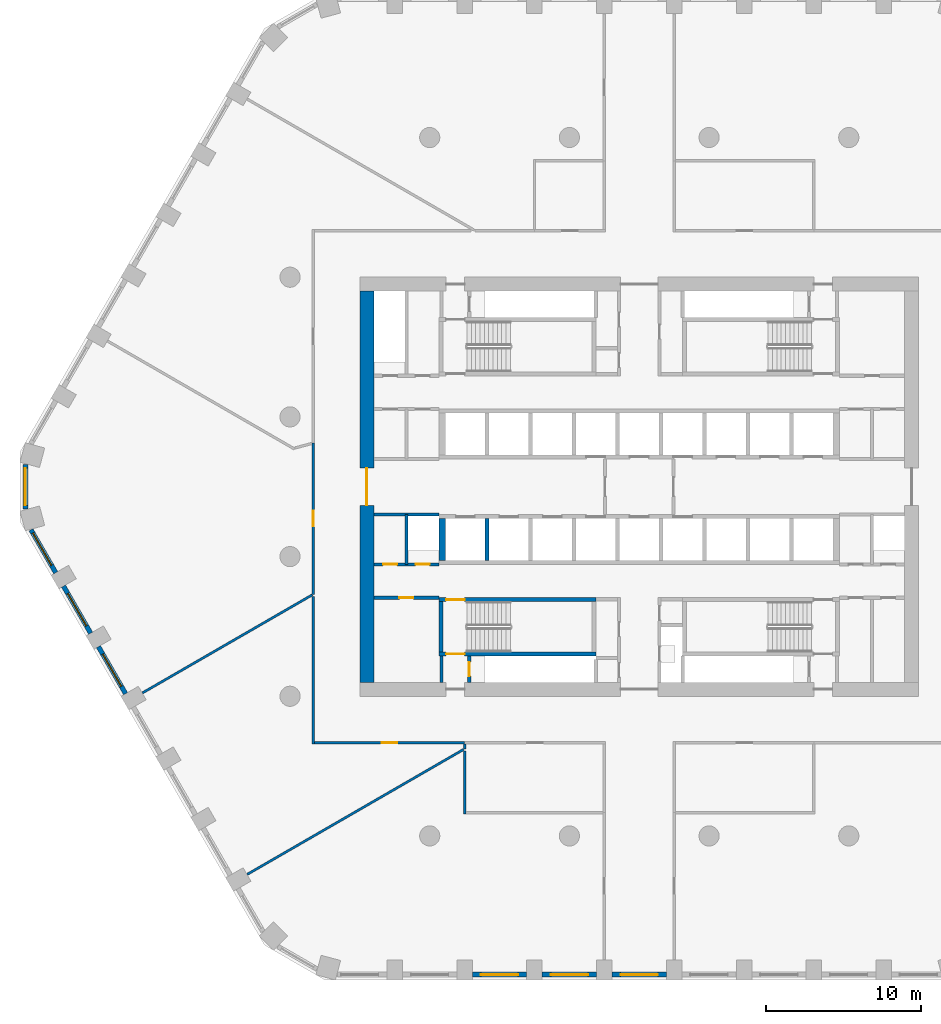
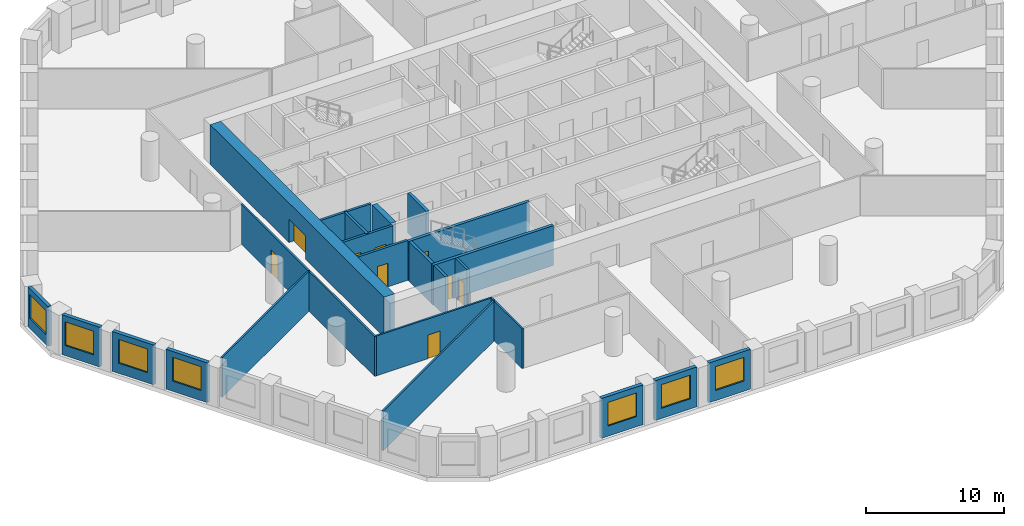
# One storey, part 2 of 10: 26 walls, 9 doors, 7 windows, 16 openings.
"""IFC4 building model written with IfcOpenShell, lengths in metres."""

from ifc_helpers import new_model, si_unit, direction, frame, frame_2d, origin, place, context, subcontext, project, spatial, polyline, rectangle, outline, extrude, material, layer, layer_set, type_object, element, fill, save


model = new_model("IFC4")

# Units and contexts
model_context = context("Model", 3, precision=1e-05, world=origin(), true_north=direction((0.0, 1.0)))
body_context = subcontext(model_context, "Body", "Model", "MODEL_VIEW")
ifc_project = project(units=[si_unit("LENGTHUNIT", "METRE"), si_unit("AREAUNIT", "SQUARE_METRE"), si_unit("VOLUMEUNIT", "CUBIC_METRE"), si_unit("PLANEANGLEUNIT", "RADIAN"), si_unit("MASSUNIT", "GRAM", prefix="KILO")], contexts=[model_context])

# Site, building, storey
site_placement = place(None, origin())
site = spatial("IfcSite", under=ifc_project, at=site_placement, CompositionType="ELEMENT")
building_placement = place(site_placement, origin())
building = spatial("IfcBuilding", under=site, at=building_placement, Name="Dhurran Vertical Campus", CompositionType="ELEMENT")
storey_placement = place(building_placement, frame((0.0, 0.0, 85.199951171875)))
storey = spatial("IfcBuildingStorey", under=building, at=storey_placement, Name="L20", CompositionType="ELEMENT", Elevation=85.199951171875)

# Wall, opening, window
ifc_material_1 = material(Name="Precast concrete C50/60", Category="concrete")
ifc_layer_1 = layer(ifc_material_1, 0.300048828125)
ifc_layer_set_1 = layer_set([ifc_layer_1], Name="Precast concrete C50/60")
wall_type_1 = type_object("IfcWallType", Name="Precast spandrel wall 300", PredefinedType="SOLIDWALL", material=ifc_layer_set_1)
wall_1_placement = place(storey_placement, frame((-10.74951171875, -31.4296875, 0.0), z_axis=(0.0, 0.0, 1.0), x_axis=(1.0, 0.0, 0.0)))
wall_1 = element("IfcWall", 1, at=wall_1_placement, inside=storey, type_object=wall_type_1, Name="EW1 L20.02", PredefinedType="SOLIDWALL", context=body_context, shape_type="SweptSolid", body=[
    extrude(rectangle(XDim=3.4990234375, YDim=0.300048828125, at=frame_2d((1.74951171875, 0.0))), origin(), (0.0, 0.0, 1.0), 3.525146484375),
])
opening_1_placement = place(wall_1_placement, frame((0.549560546875, 0.0, 0.89990234375)))
opening_1 = element("IfcOpeningElement", 2, at=opening_1_placement, cuts=wall_1, Name="Opening WT1", PredefinedType="OPENING", context=body_context, shape_type="SweptSolid", body=[
    extrude(rectangle(XDim=2.39990234375, YDim=2.10009765625, at=frame_2d((1.199951171875, 1.050048828125))), frame((0.0, 0.159912109375, 0.0), z_axis=(0.0, -1.0, 0.0), x_axis=(1.0, 0.0, 0.0)), (0.0, 0.0, 1.0), 0.320068359375),
])
ifc_material_2 = material(Name="Aluminium frame with solar-control glass", Category="aluminium")
window_type = type_object("IfcWindowType", Name="Punched window 2400 x 2100", PartitioningType="SINGLE_PANEL", PredefinedType="WINDOW", material=ifc_material_2)
window_1_placement = place(opening_1_placement, origin())
window_1 = element("IfcWindow", 3, at=window_1_placement, inside=storey, type_object=window_type, Name="WT1 L20.02", OverallHeight=2.10009765625, OverallWidth=2.39990234375, PartitioningType="SINGLE_PANEL", PredefinedType="WINDOW", context=body_context, shape_type="SweptSolid", body=[
    extrude(rectangle(XDim=2.39990234375, YDim=2.10009765625, at=frame_2d((1.199951171875, 1.050048828125))), frame((0.0, 0.030029296875, 0.0), z_axis=(0.0, -1.0, 0.0), x_axis=(1.0, 0.0, 0.0)), (0.0, 0.0, 1.0), 0.06005859375),
])
fill(opening_1, window_1)

wall_2_placement = place(storey_placement, frame((-6.24951171875, -31.4296875, 0.0), z_axis=(0.0, 0.0, 1.0), x_axis=(1.0, 0.0, 0.0)))
wall_2 = element("IfcWall", 4, at=wall_2_placement, inside=storey, type_object=wall_type_1, Name="EW1 L20.03", PredefinedType="SOLIDWALL", context=body_context, shape_type="SweptSolid", body=[
    extrude(rectangle(XDim=3.4990234375, YDim=0.300048828125, at=frame_2d((1.74951171875, 0.0))), origin(), (0.0, 0.0, 1.0), 3.525146484375),
])
opening_2_placement = place(wall_2_placement, frame((0.549560546875, 0.0, 0.89990234375)))
opening_2 = element("IfcOpeningElement", 5, at=opening_2_placement, cuts=wall_2, Name="Opening WT1", PredefinedType="OPENING", context=body_context, shape_type="SweptSolid", body=[
    extrude(rectangle(XDim=2.39990234375, YDim=2.10009765625, at=frame_2d((1.199951171875, 1.050048828125))), frame((0.0, 0.159912109375, 0.0), z_axis=(0.0, -1.0, 0.0), x_axis=(1.0, 0.0, 0.0)), (0.0, 0.0, 1.0), 0.320068359375),
])
window_2_placement = place(opening_2_placement, origin())
window_2 = element("IfcWindow", 6, at=window_2_placement, inside=storey, type_object=window_type, Name="WT1 L20.03", OverallHeight=2.10009765625, OverallWidth=2.39990234375, PartitioningType="SINGLE_PANEL", PredefinedType="WINDOW", context=body_context, shape_type="SweptSolid", body=[
    extrude(rectangle(XDim=2.39990234375, YDim=2.10009765625, at=frame_2d((1.199951171875, 1.050048828125))), frame((0.0, 0.030029296875, 0.0), z_axis=(0.0, -1.0, 0.0), x_axis=(1.0, 0.0, 0.0)), (0.0, 0.0, 1.0), 0.06005859375),
])
fill(opening_2, window_2)

wall_3_placement = place(storey_placement, frame((-1.74951171875, -31.4296875, 0.0), z_axis=(0.0, 0.0, 1.0), x_axis=(1.0, 0.0, 0.0)))
wall_3 = element("IfcWall", 7, at=wall_3_placement, inside=storey, type_object=wall_type_1, Name="EW1 L20.04", PredefinedType="SOLIDWALL", context=body_context, shape_type="SweptSolid", body=[
    extrude(rectangle(XDim=3.4990234375, YDim=0.300048828125, at=frame_2d((1.74951171875, 0.0))), origin(), (0.0, 0.0, 1.0), 3.525146484375),
])
opening_3_placement = place(wall_3_placement, frame((0.549560546875, 0.0, 0.89990234375)))
opening_3 = element("IfcOpeningElement", 8, at=opening_3_placement, cuts=wall_3, Name="Opening WT1", PredefinedType="OPENING", context=body_context, shape_type="SweptSolid", body=[
    extrude(rectangle(XDim=2.39990234375, YDim=2.10009765625, at=frame_2d((1.199951171875, 1.050048828125))), frame((0.0, 0.159912109375, 0.0), z_axis=(0.0, -1.0, 0.0), x_axis=(1.0, 0.0, 0.0)), (0.0, 0.0, 1.0), 0.320068359375),
])
window_3_placement = place(opening_3_placement, origin())
window_3 = element("IfcWindow", 9, at=window_3_placement, inside=storey, type_object=window_type, Name="WT1 L20.04", OverallHeight=2.10009765625, OverallWidth=2.39990234375, PartitioningType="SINGLE_PANEL", PredefinedType="WINDOW", context=body_context, shape_type="SweptSolid", body=[
    extrude(rectangle(XDim=2.39990234375, YDim=2.10009765625, at=frame_2d((1.199951171875, 1.050048828125))), frame((0.0, 0.030029296875, 0.0), z_axis=(0.0, -1.0, 0.0), x_axis=(1.0, 0.0, 0.0)), (0.0, 0.0, 1.0), 0.06005859375),
])
fill(opening_3, window_3)

wall_4_placement = place(storey_placement, frame((-39.547119140625, 1.44287109375, 0.0), z_axis=(0.0, 0.0, 1.0), x_axis=(0.0, -1.0, 0.0)))
wall_4 = element("IfcWall", 10, at=wall_4_placement, inside=storey, type_object=wall_type_1, Name="EW1 L20.43", PredefinedType="SOLIDWALL", context=body_context, shape_type="SweptSolid", body=[
    extrude(rectangle(XDim=2.8857421875, YDim=0.300048828125, at=frame_2d((1.44287109375, 0.0))), origin(), (0.0, 0.0, 1.0), 3.525146484375),
])
opening_4_placement = place(wall_4_placement, frame((0.242919921875, 0.0, 0.89990234375)))
opening_4 = element("IfcOpeningElement", 11, at=opening_4_placement, cuts=wall_4, Name="Opening WT1", PredefinedType="OPENING", context=body_context, shape_type="SweptSolid", body=[
    extrude(rectangle(XDim=2.39990234375, YDim=2.10009765625, at=frame_2d((1.199951171875, 1.050048828125))), frame((0.0, 0.159912109375, 0.0), z_axis=(0.0, -1.0, 0.0), x_axis=(1.0, 0.0, 0.0)), (0.0, 0.0, 1.0), 0.320068359375),
])
window_4_placement = place(opening_4_placement, origin())
window_4 = element("IfcWindow", 12, at=window_4_placement, inside=storey, type_object=window_type, Name="WT1 L20.43", OverallHeight=2.10009765625, OverallWidth=2.39990234375, PartitioningType="SINGLE_PANEL", PredefinedType="WINDOW", context=body_context, shape_type="SweptSolid", body=[
    extrude(rectangle(XDim=2.39990234375, YDim=2.10009765625, at=frame_2d((1.199951171875, 1.050048828125))), frame((0.0, 0.030029296875, 0.0), z_axis=(0.0, -1.0, 0.0), x_axis=(1.0, 0.0, 0.0)), (0.0, 0.0, 1.0), 0.06005859375),
])
fill(opening_4, window_4)

wall_5_placement = place(storey_placement, frame((-39.1904296875, -2.774169921875, 0.0), z_axis=(0.0, 0.0, 1.0), x_axis=(0.500004907028, -0.866022570692, 0.0)))
wall_5 = element("IfcWall", 13, at=wall_5_placement, inside=storey, type_object=wall_type_1, Name="EW1 L20.44", PredefinedType="SOLIDWALL", context=body_context, shape_type="SweptSolid", body=[
    extrude(rectangle(XDim=3.1923828125, YDim=0.300048828125, at=frame_2d((1.59619140625, 0.0))), origin(), (0.0, 0.0, 1.0), 3.525146484375),
])
opening_5_placement = place(wall_5_placement, frame((0.242919921875, 0.0, 0.89990234375)))
opening_5 = element("IfcOpeningElement", 14, at=opening_5_placement, cuts=wall_5, Name="Opening WT1", PredefinedType="OPENING", context=body_context, shape_type="SweptSolid", body=[
    extrude(rectangle(XDim=2.39990234375, YDim=2.10009765625, at=frame_2d((1.199951171875, 1.050048828125))), frame((0.0, 0.159912109375, 0.0), z_axis=(0.0, -1.0, 0.0), x_axis=(1.0, 0.0, 0.0)), (0.0, 0.0, 1.0), 0.320068359375),
])
window_5_placement = place(opening_5_placement, origin())
window_5 = element("IfcWindow", 15, at=window_5_placement, inside=storey, type_object=window_type, Name="WT1 L20.44", OverallHeight=2.10009765625, OverallWidth=2.39990234375, PartitioningType="SINGLE_PANEL", PredefinedType="WINDOW", context=body_context, shape_type="SweptSolid", body=[
    extrude(rectangle(XDim=2.39990234375, YDim=2.10009765625, at=frame_2d((1.199951171875, 1.050048828125))), frame((0.0, 0.030029296875, 0.0), z_axis=(0.0, -1.0, 0.0), x_axis=(1.0, 0.0, 0.0)), (0.0, 0.0, 1.0), 0.06005859375),
])
fill(opening_5, window_5)

wall_6_placement = place(storey_placement, frame((-37.09375, -6.405517578125, 0.0), z_axis=(0.0, 0.0, 1.0), x_axis=(0.499996256241, -0.866027565234, 0.0)))
wall_6 = element("IfcWall", 16, at=wall_6_placement, inside=storey, type_object=wall_type_1, Name="EW1 L20.45", PredefinedType="SOLIDWALL", context=body_context, shape_type="SweptSolid", body=[
    extrude(rectangle(XDim=3.4990234375, YDim=0.300048828125, at=frame_2d((1.74951171875, 0.0))), origin(), (0.0, 0.0, 1.0), 3.525146484375),
])
opening_6_placement = place(wall_6_placement, frame((0.549560546875, 0.0, 0.89990234375)))
opening_6 = element("IfcOpeningElement", 17, at=opening_6_placement, cuts=wall_6, Name="Opening WT1", PredefinedType="OPENING", context=body_context, shape_type="SweptSolid", body=[
    extrude(rectangle(XDim=2.39990234375, YDim=2.10009765625, at=frame_2d((1.199951171875, 1.050048828125))), frame((0.0, 0.159912109375, 0.0), z_axis=(0.0, -1.0, 0.0), x_axis=(1.0, 0.0, 0.0)), (0.0, 0.0, 1.0), 0.320068359375),
])
window_6_placement = place(opening_6_placement, origin())
window_6 = element("IfcWindow", 18, at=window_6_placement, inside=storey, type_object=window_type, Name="WT1 L20.45", OverallHeight=2.10009765625, OverallWidth=2.39990234375, PartitioningType="SINGLE_PANEL", PredefinedType="WINDOW", context=body_context, shape_type="SweptSolid", body=[
    extrude(rectangle(XDim=2.39990234375, YDim=2.10009765625, at=frame_2d((1.199951171875, 1.050048828125))), frame((0.0, 0.030029296875, 0.0), z_axis=(0.0, -1.0, 0.0), x_axis=(1.0, 0.0, 0.0)), (0.0, 0.0, 1.0), 0.06005859375),
])
fill(opening_6, window_6)

wall_7_placement = place(storey_placement, frame((-34.84375, -10.302734375, 0.0), z_axis=(0.0, 0.0, 1.0), x_axis=(0.499996256241, -0.866027565234, 0.0)))
wall_7 = element("IfcWall", 19, at=wall_7_placement, inside=storey, type_object=wall_type_1, Name="EW1 L20.46", PredefinedType="SOLIDWALL", context=body_context, shape_type="SweptSolid", body=[
    extrude(rectangle(XDim=3.4990234375, YDim=0.300048828125, at=frame_2d((1.74951171875, 0.0))), origin(), (0.0, 0.0, 1.0), 3.525146484375),
])
opening_7_placement = place(wall_7_placement, frame((0.549560546875, 0.0, 0.89990234375)))
opening_7 = element("IfcOpeningElement", 20, at=opening_7_placement, cuts=wall_7, Name="Opening WT1", PredefinedType="OPENING", context=body_context, shape_type="SweptSolid", body=[
    extrude(rectangle(XDim=2.39990234375, YDim=2.10009765625, at=frame_2d((1.199951171875, 1.050048828125))), frame((0.0, 0.159912109375, 0.0), z_axis=(0.0, -1.0, 0.0), x_axis=(1.0, 0.0, 0.0)), (0.0, 0.0, 1.0), 0.320068359375),
])
window_7_placement = place(opening_7_placement, origin())
window_7 = element("IfcWindow", 21, at=window_7_placement, inside=storey, type_object=window_type, Name="WT1 L20.46", OverallHeight=2.10009765625, OverallWidth=2.39990234375, PartitioningType="SINGLE_PANEL", PredefinedType="WINDOW", context=body_context, shape_type="SweptSolid", body=[
    extrude(rectangle(XDim=2.39990234375, YDim=2.10009765625, at=frame_2d((1.199951171875, 1.050048828125))), frame((0.0, 0.030029296875, 0.0), z_axis=(0.0, -1.0, 0.0), x_axis=(1.0, 0.0, 0.0)), (0.0, 0.0, 1.0), 0.06005859375),
])
fill(opening_7, window_7)

# Wall, opening, door
ifc_material_3 = material(Name="Concrete C60/75", Category="concrete")
ifc_layer_2 = layer(ifc_material_3, 0.89990234375)
ifc_layer_set_2 = layer_set([ifc_layer_2], Name="Concrete C60/75")
wall_type_2 = type_object("IfcWallType", Name="co-CORE-WALL-C0-900", PredefinedType="SHEAR", material=ifc_layer_set_2)
wall_8_placement = place(storey_placement, frame((-17.550048828125, -12.60009765625, 0.0), z_axis=(0.0, 0.0, 1.0), x_axis=(0.0, 1.0, 0.0)))
wall_8 = element("IfcWall", 22, at=wall_8_placement, inside=storey, type_object=wall_type_2, Name="Core wall W L20", PredefinedType="SHEAR", context=body_context, shape_type="SweptSolid", body=[
    extrude(rectangle(XDim=25.2001953125, YDim=0.89990234375, at=frame_2d((12.60009765625, 0.0))), origin(), (0.0, 0.0, 1.0), 3.525146484375),
])
opening_8_placement = place(wall_8_placement, frame((11.39990234375, 0.0, 0.0)))
opening_8 = element("IfcOpeningElement", 23, at=opening_8_placement, cuts=wall_8, Name="Opening CL1", PredefinedType="OPENING", context=body_context, shape_type="SweptSolid", body=[
    extrude(rectangle(XDim=2.39990234375, YDim=2.10009765625, at=frame_2d((1.199951171875, 1.050048828125))), frame((0.0, 0.4599609375, 0.0), z_axis=(0.0, -1.0, 0.0), x_axis=(1.0, 0.0, 0.0)), (0.0, 0.0, 1.0), 0.919921875),
])
ifc_material_4 = material(Name="Fire-rated glazed door set")
door_type_1 = type_object("IfcDoorType", Name="co-D-LOBBY 2400x2100", OperationType="DOUBLE_DOOR_DOUBLE_SWING", PredefinedType="DOOR", material=ifc_material_4)
door_1_placement = place(opening_8_placement, origin())
door_1 = element("IfcDoor", 24, at=door_1_placement, inside=storey, type_object=door_type_1, Name="Lift lobby door W L20", OperationType="DOUBLE_DOOR_DOUBLE_SWING", OverallHeight=2.10009765625, OverallWidth=2.39990234375, PredefinedType="DOOR", context=body_context, shape_type="SweptSolid", body=[
    extrude(rectangle(XDim=2.39990234375, YDim=2.10009765625, at=frame_2d((1.199951171875, 1.050048828125))), frame((0.0, 0.02490234375, 0.0), z_axis=(0.0, -1.0, 0.0), x_axis=(1.0, 0.0, 0.0)), (0.0, 0.0, 1.0), 0.050048828125),
])
fill(opening_8, door_1)

# Wall
ifc_material_5 = material(Name="Fire-rated masonry blockwork", Category="masonry")
ifc_layer_3 = layer(ifc_material_5, 0.199951171875)
ifc_layer_set_3 = layer_set([ifc_layer_3], Name="Fire-rated masonry blockwork")
wall_type_3 = type_object("IfcWallType", Name="co-FIRE-PARTITION-200", PredefinedType="PARTITIONING", material=ifc_layer_set_3)
wall_9_placement = place(storey_placement, frame((-12.75, -12.60009765625, 0.0), z_axis=(0.0, 0.0, 1.0), x_axis=(0.0, 1.0, 0.0)))
element("IfcWall", 25, at=wall_9_placement, inside=storey, type_object=wall_type_3, Name="Core partition pass-ST3-o L20", PredefinedType="PARTITIONING", context=body_context, shape_type="SweptSolid", body=[
    extrude(rectangle(XDim=1.7001953125, YDim=0.199951171875, at=frame_2d((0.85009765625, 0.0))), origin(), (0.0, 0.0, 1.0), 3.525146484375),
])

# Wall, opening, door
wall_10_placement = place(storey_placement, frame((-10.949951171875, -12.60009765625, 0.0), z_axis=(0.0, 0.0, 1.0), x_axis=(0.0, 1.0, 0.0)))
wall_10 = element("IfcWall", 26, at=wall_10_placement, inside=storey, type_object=wall_type_3, Name="Core partition pass-ST3-i L20", PredefinedType="PARTITIONING", context=body_context, shape_type="SweptSolid", body=[
    extrude(rectangle(XDim=1.7001953125, YDim=0.199951171875, at=frame_2d((0.85009765625, 0.0))), origin(), (0.0, 0.0, 1.0), 3.525146484375),
])
opening_9_placement = place(wall_10_placement, frame((0.39990234375, 0.0, 0.0)))
opening_9 = element("IfcOpeningElement", 27, at=opening_9_placement, cuts=wall_10, Name="Opening T05-C10", PredefinedType="OPENING", context=body_context, shape_type="SweptSolid", body=[
    extrude(rectangle(XDim=0.89990234375, YDim=2.10009765625, at=frame_2d((0.449951171875, 1.050048828125))), frame((0.0, 0.10986328125, 0.0), z_axis=(0.0, -1.0, 0.0), x_axis=(1.0, 0.0, 0.0)), (0.0, 0.0, 1.0), 0.219970703125),
])
ifc_material_6 = material(Name="Fire-rated timber door set", Category="wood")
door_type_2 = type_object("IfcDoorType", Name="co-D-ROOM 900x2100", OperationType="SINGLE_SWING_LEFT", PredefinedType="DOOR", material=ifc_material_6)
door_2_placement = place(opening_9_placement, origin())
door_2 = element("IfcDoor", 28, at=door_2_placement, inside=storey, type_object=door_type_2, Name="Riser room door L20", OperationType="SINGLE_SWING_LEFT", OverallHeight=2.10009765625, OverallWidth=0.89990234375, PredefinedType="DOOR", context=body_context, shape_type="SweptSolid", body=[
    extrude(rectangle(XDim=0.89990234375, YDim=2.10009765625, at=frame_2d((0.449951171875, 1.050048828125))), frame((0.0, 0.02490234375, 0.0), z_axis=(0.0, -1.0, 0.0), x_axis=(1.0, 0.0, 0.0)), (0.0, 0.0, 1.0), 0.050048828125),
])
fill(opening_9, door_2)

wall_11_placement = place(storey_placement, frame((-17.10009765625, -7.14990234375, 0.0), z_axis=(0.0, 0.0, 1.0), x_axis=(1.0, 0.0, 0.0)))
wall_11 = element("IfcWall", 29, at=wall_11_placement, inside=storey, type_object=wall_type_3, Name="Core partition en-SW-w L20", PredefinedType="PARTITIONING", context=body_context, shape_type="SweptSolid", body=[
    extrude(rectangle(XDim=4.2001953125, YDim=0.199951171875, at=frame_2d((2.10009765625, 0.0))), origin(), (0.0, 0.0, 1.0), 3.525146484375),
])
opening_10_placement = place(wall_11_placement, frame((1.64990234375, 0.0, 0.0)))
opening_10 = element("IfcOpeningElement", 30, at=opening_10_placement, cuts=wall_11, Name="Opening T05-C19", PredefinedType="OPENING", context=body_context, shape_type="SweptSolid", body=[
    extrude(rectangle(XDim=0.89990234375, YDim=2.10009765625, at=frame_2d((0.449951171875, 1.050048828125))), frame((0.0, 0.10986328125, 0.0), z_axis=(0.0, -1.0, 0.0), x_axis=(1.0, 0.0, 0.0)), (0.0, 0.0, 1.0), 0.219970703125),
])
door_3_placement = place(opening_10_placement, origin())
door_3 = element("IfcDoor", 31, at=door_3_placement, inside=storey, type_object=door_type_2, Name="Store door L20", OperationType="SINGLE_SWING_LEFT", OverallHeight=2.10009765625, OverallWidth=0.89990234375, PredefinedType="DOOR", context=body_context, shape_type="SweptSolid", body=[
    extrude(rectangle(XDim=0.89990234375, YDim=2.10009765625, at=frame_2d((0.449951171875, 1.050048828125))), frame((0.0, 0.02490234375, 0.0), z_axis=(0.0, -1.0, 0.0), x_axis=(1.0, 0.0, 0.0)), (0.0, 0.0, 1.0), 0.050048828125),
])
fill(opening_10, door_3)

# Wall
wall_12_placement = place(storey_placement, frame((-15.0, -5.0, 0.0), z_axis=(0.0, 0.0, 1.0), x_axis=(0.0, 1.0, 0.0)))
element("IfcWall", 32, at=wall_12_placement, inside=storey, type_object=wall_type_3, Name="Core partition es-SW-cut0 L20", PredefinedType="PARTITIONING", context=body_context, shape_type="SweptSolid", body=[
    extrude(rectangle(XDim=3.199951171875, YDim=0.199951171875, at=frame_2d((1.60009765625, 0.0))), origin(), (0.0, 0.0, 1.0), 3.525146484375),
])

# Wall, openings, doors
wall_13_placement = place(storey_placement, frame((-17.10009765625, -5.0, 0.0), z_axis=(0.0, 0.0, 1.0), x_axis=(1.0, 0.0, 0.0)))
wall_13 = element("IfcWall", 33, at=wall_13_placement, inside=storey, type_object=wall_type_3, Name="Core partition es-SW-w L20", PredefinedType="PARTITIONING", context=body_context, shape_type="SweptSolid", body=[
    extrude(rectangle(XDim=4.2001953125, YDim=0.199951171875, at=frame_2d((2.10009765625, 0.0))), origin(), (0.0, 0.0, 1.0), 3.525146484375),
])
opening_11_placement = place(wall_13_placement, frame((0.60009765625, 0.0, 0.0)))
opening_11 = element("IfcOpeningElement", 34, at=opening_11_placement, cuts=wall_13, Name="Opening T05-C20", PredefinedType="OPENING", context=body_context, shape_type="SweptSolid", body=[
    extrude(rectangle(XDim=0.89990234375, YDim=2.10009765625, at=frame_2d((0.449951171875, 1.050048828125))), frame((0.0, 0.10986328125, 0.0), z_axis=(0.0, -1.0, 0.0), x_axis=(1.0, 0.0, 0.0)), (0.0, 0.0, 1.0), 0.219970703125),
])
opening_12_placement = place(wall_13_placement, frame((2.699951171875, 0.0, 0.0)))
opening_12 = element("IfcOpeningElement", 35, at=opening_12_placement, cuts=wall_13, Name="Opening T05-C21", PredefinedType="OPENING", context=body_context, shape_type="SweptSolid", body=[
    extrude(rectangle(XDim=0.89990234375, YDim=2.10009765625, at=frame_2d((0.449951171875, 1.050048828125))), frame((0.0, 0.10986328125, 0.0), z_axis=(0.0, -1.0, 0.0), x_axis=(1.0, 0.0, 0.0)), (0.0, 0.0, 1.0), 0.219970703125),
])
door_4_placement = place(opening_11_placement, origin())
door_4 = element("IfcDoor", 36, at=door_4_placement, inside=storey, type_object=door_type_2, Name="Waste room door L20", OperationType="SINGLE_SWING_LEFT", OverallHeight=2.10009765625, OverallWidth=0.89990234375, PredefinedType="DOOR", context=body_context, shape_type="SweptSolid", body=[
    extrude(rectangle(XDim=0.89990234375, YDim=2.10009765625, at=frame_2d((0.449951171875, 1.050048828125))), frame((0.0, 0.02490234375, 0.0), z_axis=(0.0, -1.0, 0.0), x_axis=(1.0, 0.0, 0.0)), (0.0, 0.0, 1.0), 0.050048828125),
])
fill(opening_11, door_4)
door_5_placement = place(opening_12_placement, origin())
door_5 = element("IfcDoor", 37, at=door_5_placement, inside=storey, type_object=door_type_2, Name="Water riser door L20", OperationType="SINGLE_SWING_LEFT", OverallHeight=2.10009765625, OverallWidth=0.89990234375, PredefinedType="DOOR", context=body_context, shape_type="SweptSolid", body=[
    extrude(rectangle(XDim=0.89990234375, YDim=2.10009765625, at=frame_2d((0.449951171875, 1.050048828125))), frame((0.0, 0.02490234375, 0.0), z_axis=(0.0, -1.0, 0.0), x_axis=(1.0, 0.0, 0.0)), (0.0, 0.0, 1.0), 0.050048828125),
])
fill(opening_12, door_5)

# Walls
wall_14_placement = place(storey_placement, frame((-17.10009765625, -1.800048828125, 0.0), z_axis=(0.0, 0.0, 1.0), x_axis=(1.0, 0.0, 0.0)))
element("IfcWall", 38, at=wall_14_placement, inside=storey, type_object=wall_type_3, Name="Core partition es-SW-l L20", PredefinedType="PARTITIONING", context=body_context, shape_type="SweptSolid", body=[
    extrude(rectangle(XDim=4.2001953125, YDim=0.199951171875, at=frame_2d((2.10009765625, 0.0))), origin(), (0.0, 0.0, 1.0), 3.525146484375),
])
ifc_material_7 = material(Name="Concrete C50/60", Category="concrete")
ifc_layer_4 = layer(ifc_material_7, 0.25)
ifc_layer_set_4 = layer_set([ifc_layer_4], Name="Concrete C50/60")
wall_type_4 = type_object("IfcWallType", Name="co-SHAFT-MASS-250", PredefinedType="SHEAR", material=ifc_layer_set_4)
wall_15_placement = place(storey_placement, origin())
element("IfcWall", 39, at=wall_15_placement, inside=storey, type_object=wall_type_4, Name="Lift shaft wall S L20 2", PredefinedType="SHEAR", context=body_context, shape_type="SweptSolid", body=[
    extrude(outline(polyline([(-12.89990234375, -4.75), (-12.47509765625, -4.75), (-12.47509765625, -2.050048828125), (-12.89990234375, -2.050048828125), (-12.89990234375, -4.75)])), origin(), (0.0, 0.0, 1.0), 3.525146484375),
])
wall_16_placement = place(storey_placement, origin())
element("IfcWall", 40, at=wall_16_placement, inside=storey, type_object=wall_type_4, Name="Lift shaft wall S L20 3", PredefinedType="SHEAR", context=body_context, shape_type="SweptSolid", body=[
    extrude(outline(polyline([(-9.925048828125, -4.75), (-9.675048828125, -4.75), (-9.675048828125, -2.050048828125), (-9.925048828125, -2.050048828125), (-9.925048828125, -4.75)])), origin(), (0.0, 0.0, 1.0), 3.525146484375),
])

# Wall, opening, door
ifc_material_8 = material(Name="Concrete C40/50", Category="concrete")
ifc_layer_5 = layer(ifc_material_8, 0.25)
ifc_layer_set_5 = layer_set([ifc_layer_5], Name="Concrete C40/50")
wall_type_5 = type_object("IfcWallType", Name="co-STAIR-WALL-250", PredefinedType="SHEAR", material=ifc_layer_set_5)
wall_17_placement = place(storey_placement, frame((-12.89990234375, -10.77490234375, 0.0), z_axis=(0.0, 0.0, 1.0), x_axis=(1.0, 0.0, 0.0)))
wall_17 = element("IfcWall", 41, at=wall_17_placement, inside=storey, type_object=wall_type_5, Name="Stair ST3 enclosure wall L20", PredefinedType="SHEAR", context=body_context, shape_type="SweptSolid", body=[
    extrude(rectangle(XDim=10.099853515625, YDim=0.25, at=frame_2d((5.0498046875, 0.0))), origin(), (0.0, 0.0, 1.0), 3.525146484375),
])
opening_13_placement = place(wall_17_placement, frame((0.449951171875, 0.0, 0.0)))
opening_13 = element("IfcOpeningElement", 42, at=opening_13_placement, cuts=wall_17, Name="Opening XS3", PredefinedType="OPENING", context=body_context, shape_type="SweptSolid", body=[
    extrude(rectangle(XDim=1.199951171875, YDim=2.10009765625, at=frame_2d((0.60009765625, 1.050048828125))), frame((0.0, 0.135009765625, 0.0), z_axis=(0.0, -1.0, 0.0), x_axis=(1.0, 0.0, 0.0)), (0.0, 0.0, 1.0), 0.27001953125),
])
ifc_material_9 = material(Name="Fire-rated steel door set", Category="steel")
door_type_3 = type_object("IfcDoorType", Name="co-D-STAIR-EXIT 1200x2100", OperationType="SINGLE_SWING_RIGHT", PredefinedType="DOOR", material=ifc_material_9)
door_6_placement = place(opening_13_placement, origin())
door_6 = element("IfcDoor", 43, at=door_6_placement, inside=storey, type_object=door_type_3, Name="Stair ST3 discharge door L20", OperationType="SINGLE_SWING_RIGHT", OverallHeight=2.10009765625, OverallWidth=1.199951171875, PredefinedType="DOOR", context=body_context, shape_type="SweptSolid", body=[
    extrude(rectangle(XDim=1.199951171875, YDim=2.10009765625, at=frame_2d((0.60009765625, 1.050048828125))), frame((0.0, 0.02490234375, 0.0), z_axis=(0.0, -1.0, 0.0), x_axis=(1.0, 0.0, 0.0)), (0.0, 0.0, 1.0), 0.050048828125),
])
fill(opening_13, door_6)

wall_18_placement = place(storey_placement, frame((-12.89990234375, -7.27490234375, 0.0), z_axis=(0.0, 0.0, 1.0), x_axis=(1.0, 0.0, 0.0)))
wall_18 = element("IfcWall", 44, at=wall_18_placement, inside=storey, type_object=wall_type_5, Name="Stair ST3 enclosure wall L20", PredefinedType="SHEAR", context=body_context, shape_type="SweptSolid", body=[
    extrude(rectangle(XDim=10.099853515625, YDim=0.25, at=frame_2d((5.0498046875, 0.0))), origin(), (0.0, 0.0, 1.0), 3.525146484375),
])
opening_14_placement = place(wall_18_placement, frame((0.449951171875, 0.0, 0.0)))
opening_14 = element("IfcOpeningElement", 45, at=opening_14_placement, cuts=wall_18, Name="Opening SD3", PredefinedType="OPENING", context=body_context, shape_type="SweptSolid", body=[
    extrude(rectangle(XDim=1.199951171875, YDim=2.10009765625, at=frame_2d((0.60009765625, 1.050048828125))), frame((0.0, 0.135009765625, 0.0), z_axis=(0.0, -1.0, 0.0), x_axis=(1.0, 0.0, 0.0)), (0.0, 0.0, 1.0), 0.27001953125),
])
ifc_material_10 = material(Name="Fire-rated steel door set", Category="steel")
door_type_4 = type_object("IfcDoorType", Name="co-D-STAIR 1200x2100", OperationType="SINGLE_SWING_LEFT", PredefinedType="DOOR", material=ifc_material_10)
door_7_placement = place(opening_14_placement, origin())
door_7 = element("IfcDoor", 46, at=door_7_placement, inside=storey, type_object=door_type_4, Name="Stair ST3 door L20", OperationType="SINGLE_SWING_LEFT", OverallHeight=2.10009765625, OverallWidth=1.199951171875, PredefinedType="DOOR", context=body_context, shape_type="SweptSolid", body=[
    extrude(rectangle(XDim=1.199951171875, YDim=2.10009765625, at=frame_2d((0.60009765625, 1.050048828125))), frame((0.0, 0.02490234375, 0.0), z_axis=(0.0, -1.0, 0.0), x_axis=(1.0, 0.0, 0.0)), (0.0, 0.0, 1.0), 0.050048828125),
])
fill(opening_14, door_7)

# Walls
wall_19_placement = place(storey_placement, frame((-12.77490234375, -10.64990234375, 0.0), z_axis=(0.0, 0.0, 1.0), x_axis=(0.0, 1.0, 0.0)))
element("IfcWall", 47, at=wall_19_placement, inside=storey, type_object=wall_type_5, Name="Stair ST3 enclosure wall L20", PredefinedType="SHEAR", context=body_context, shape_type="SweptSolid", body=[
    extrude(rectangle(XDim=3.25, YDim=0.25, at=frame_2d((1.625, 0.0))), origin(), (0.0, 0.0, 1.0), 3.525146484375),
])
ifc_material_11 = material(Name="Gypsum board corridor wall on steel studs", Category="steel")
ifc_layer_6 = layer(ifc_material_11, 0.14990234375)
ifc_layer_set_6 = layer_set([ifc_layer_6], Name="Gypsum board corridor wall on steel studs")
wall_type_6 = type_object("IfcWallType", Name="fl-CW-150 corridor wall", PredefinedType="PARTITIONING", material=ifc_layer_set_6)
wall_20_placement = place(storey_placement, frame((-21.0, -7.05810546875, 0.0), z_axis=(0.0, 0.0, 1.0), x_axis=(0.0, -1.0, 0.0)))
element("IfcWall", 48, at=wall_20_placement, inside=storey, type_object=wall_type_6, Name="Partition 20-06", PredefinedType="PARTITIONING", context=body_context, shape_type="SweptSolid", body=[
    extrude(rectangle(XDim=9.516845703125, YDim=0.14990234375, at=frame_2d((4.75830078125, 0.0))), origin(), (0.0, 0.0, 1.0), 3.525146484375),
])

# Wall, opening, door
wall_21_placement = place(storey_placement, frame((-20.925048828125, -16.5, 0.0), z_axis=(0.0, 0.0, 1.0), x_axis=(1.0, 0.0, 0.0)))
wall_21 = element("IfcWall", 49, at=wall_21_placement, inside=storey, type_object=wall_type_6, Name="Partition 20-07", PredefinedType="PARTITIONING", context=body_context, shape_type="SweptSolid", body=[
    extrude(rectangle(XDim=9.675048828125, YDim=0.14990234375, at=frame_2d((4.83740234375, 0.0))), origin(), (0.0, 0.0, 1.0), 3.525146484375),
])
opening_15_placement = place(wall_21_placement, frame((4.33740234375, 0.0, 0.0)))
opening_15 = element("IfcOpeningElement", 50, at=opening_15_placement, cuts=wall_21, Name="Opening T05.03", PredefinedType="OPENING", context=body_context, shape_type="SweptSolid", body=[
    extrude(rectangle(XDim=1.0, YDim=2.10009765625, at=frame_2d((0.5, 1.050048828125))), frame((0.0, 0.0849609375, 0.0), z_axis=(0.0, -1.0, 0.0), x_axis=(1.0, 0.0, 0.0)), (0.0, 0.0, 1.0), 0.169921875),
])
ifc_material_12 = material(Name="Solid-core timber door set, fire-rated", Category="wood")
door_type_5 = type_object("IfcDoorType", Name="fl-D-1000x2100", OperationType="SINGLE_SWING_LEFT", PredefinedType="DOOR", material=ifc_material_12)
door_8_placement = place(opening_15_placement, origin())
door_8 = element("IfcDoor", 51, at=door_8_placement, inside=storey, type_object=door_type_5, Name="Door 20.03", OperationType="SINGLE_SWING_LEFT", OverallHeight=2.10009765625, OverallWidth=1.0, PredefinedType="DOOR", context=body_context, shape_type="SweptSolid", body=[
    extrude(rectangle(XDim=1.0, YDim=2.10009765625, at=frame_2d((0.5, 1.050048828125))), frame((0.0, 0.02490234375, 0.0), z_axis=(0.0, -1.0, 0.0), x_axis=(1.0, 0.0, 0.0)), (0.0, 0.0, 1.0), 0.050048828125),
])
fill(opening_15, door_8)

wall_22_placement = place(storey_placement, frame((-21.0, 2.81298828125, 0.0), z_axis=(0.0, 0.0, 1.0), x_axis=(0.0, -1.0, 0.0)))
wall_22 = element("IfcWall", 52, at=wall_22_placement, inside=storey, type_object=wall_type_6, Name="Partition 20-08", PredefinedType="PARTITIONING", context=body_context, shape_type="SweptSolid", body=[
    extrude(rectangle(XDim=9.740966796875, YDim=0.14990234375, at=frame_2d((4.87060546875, 0.0))), origin(), (0.0, 0.0, 1.0), 3.525146484375),
])
opening_16_placement = place(wall_22_placement, frame((4.37060546875, 0.0, 0.0)))
opening_16 = element("IfcOpeningElement", 53, at=opening_16_placement, cuts=wall_22, Name="Opening T05.01", PredefinedType="OPENING", context=body_context, shape_type="SweptSolid", body=[
    extrude(rectangle(XDim=1.0, YDim=2.10009765625, at=frame_2d((0.5, 1.050048828125))), frame((0.0, 0.0849609375, 0.0), z_axis=(0.0, -1.0, 0.0), x_axis=(1.0, 0.0, 0.0)), (0.0, 0.0, 1.0), 0.169921875),
])
door_9_placement = place(opening_16_placement, origin())
door_9 = element("IfcDoor", 54, at=door_9_placement, inside=storey, type_object=door_type_5, Name="Door 20.01", OperationType="SINGLE_SWING_RIGHT", OverallHeight=2.10009765625, OverallWidth=1.0, PredefinedType="DOOR", context=body_context, shape_type="SweptSolid", body=[
    extrude(rectangle(XDim=1.0, YDim=2.10009765625, at=frame_2d((0.5, 1.050048828125))), frame((0.0, 0.02490234375, 0.0), z_axis=(0.0, -1.0, 0.0), x_axis=(1.0, 0.0, 0.0)), (0.0, 0.0, 1.0), 0.050048828125),
])
fill(opening_16, door_9)

# Walls
ifc_material_13 = material(Name="Gypsum board partition on steel studs", Category="steel")
ifc_layer_7 = layer(ifc_material_13, 0.14990234375)
ifc_layer_set_7 = layer_set([ifc_layer_7], Name="Gypsum board partition on steel studs")
wall_type_7 = type_object("IfcWallType", Name="fl-PW-150 fixed partition", PredefinedType="PARTITIONING", material=ifc_layer_set_7)
wall_23_placement = place(storey_placement, frame((-21.06494140625, -6.965576171875, 0.0), z_axis=(0.0, 0.0, 1.0), x_axis=(-0.866023362995, -0.500003534735, 0.0)))
element("IfcWall", 55, at=wall_23_placement, inside=storey, type_object=wall_type_7, Name="Partition 20-02", PredefinedType="PARTITIONING", context=body_context, shape_type="SweptSolid", body=[
    extrude(rectangle(XDim=12.63134765625, YDim=0.14990234375, at=frame_2d((6.315673828125, 0.0))), origin(), (0.0, 0.0, 1.0), 3.525146484375),
])
wall_24_placement = place(storey_placement, frame((-11.31494140625, -16.924560546875, 0.0), z_axis=(0.0, 0.0, 1.0), x_axis=(-0.86600725109, -0.500031440071, 0.0)))
element("IfcWall", 56, at=wall_24_placement, inside=storey, type_object=wall_type_7, Name="Partition 20-03", PredefinedType="PARTITIONING", context=body_context, shape_type="SweptSolid", body=[
    extrude(rectangle(XDim=16.095703125, YDim=0.14990234375, at=frame_2d((8.0478515625, 0.0))), origin(), (0.0, 0.0, 1.0), 3.525146484375),
])
wall_25_placement = place(storey_placement, frame((-11.25, -17.01708984375, 0.0), z_axis=(0.0, 0.0, 1.0), x_axis=(0.0, -1.0, 0.0)))
element("IfcWall", 57, at=wall_25_placement, inside=storey, type_object=wall_type_7, Name="Partition 20-11", PredefinedType="PARTITIONING", context=body_context, shape_type="SweptSolid", body=[
    extrude(rectangle(XDim=4.057861328125, YDim=0.14990234375, at=frame_2d((2.02880859375, 0.0))), origin(), (0.0, 0.0, 1.0), 3.525146484375),
])
wall_26_placement = place(storey_placement, frame((-11.25, -16.574951171875, 0.0), z_axis=(0.0, 0.0, 1.0), x_axis=(0.0, -1.0, 0.0)))
element("IfcWall", 58, at=wall_26_placement, inside=storey, type_object=wall_type_7, Name="Partition 20-13", PredefinedType="PARTITIONING", context=body_context, shape_type="SweptSolid", body=[
    extrude(rectangle(XDim=0.31201171875, YDim=0.14990234375, at=frame_2d((0.156005859375, 0.0))), origin(), (0.0, 0.0, 1.0), 3.525146484375),
])

save(model, "model.ifc")
